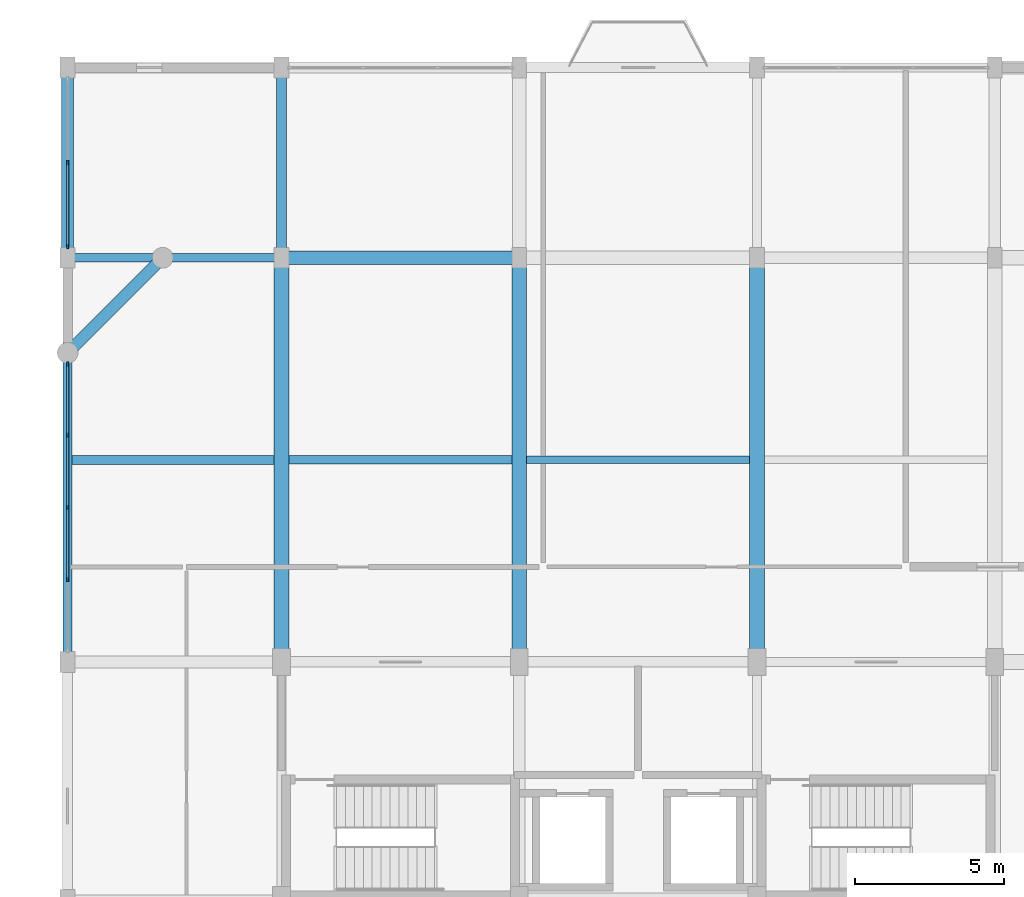
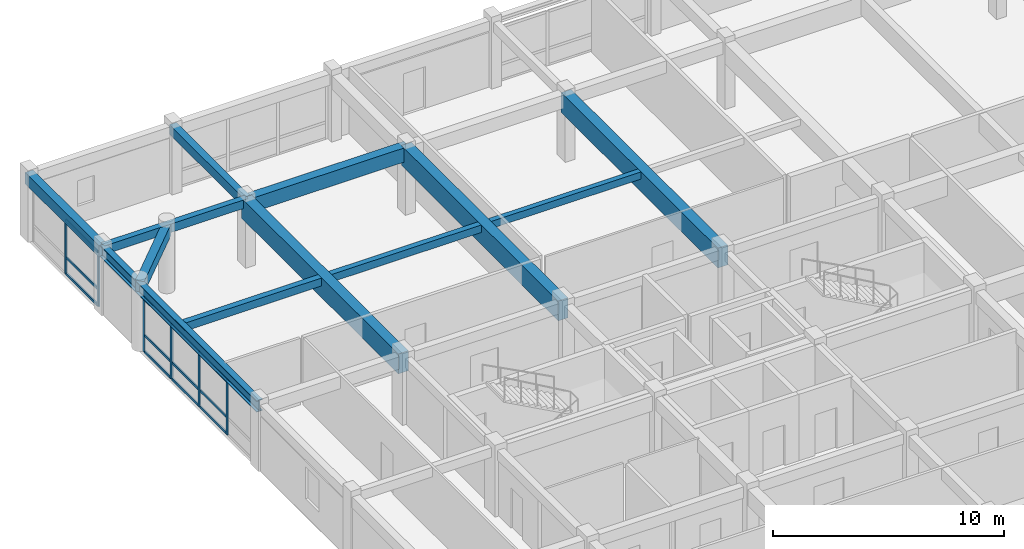
# One storey, part 6 of 14: 18 members, 12 beams, 2 elements without a shape of their own.
"""IFC4 building model written with IfcOpenShell, lengths in metres."""

from ifc_helpers import new_model, si_unit, direction, frame, origin, origin_2d, place, context, subcontext, project, spatial, rectangle, i_section, extrude, material, material_profile, profile_set, type_object, element, aggregate, save


model = new_model("IFC4")

# Units and contexts
model_context = context("Model", 3, precision=1e-05, world=origin(), true_north=direction((0.0, 1.0)))
body_context = subcontext(model_context, "Body", "Model", "MODEL_VIEW")
ifc_project = project(units=[si_unit("LENGTHUNIT", "METRE"), si_unit("AREAUNIT", "SQUARE_METRE"), si_unit("VOLUMEUNIT", "CUBIC_METRE"), si_unit("PLANEANGLEUNIT", "RADIAN"), si_unit("MASSUNIT", "GRAM", prefix="KILO")], contexts=[model_context])

# Site, building, storey
site_placement = place(None, origin())
site = spatial("IfcSite", under=ifc_project, at=site_placement, CompositionType="ELEMENT")
building_placement = place(site_placement, origin())
building = spatial("IfcBuilding", under=site, at=building_placement, Name="Vellmiral Cinema and Media Centre", CompositionType="ELEMENT")
storey_placement = place(building_placement, frame((0.0, 0.0, 47.10009765625)))
storey = spatial("IfcBuildingStorey", under=building, at=storey_placement, Name="L11", CompositionType="ELEMENT", Elevation=47.10009765625)

# Beams
ifc_material_1 = material(Name="Concrete C40/50", Category="concrete")
ifc_material_profile_1 = material_profile(ifc_material_1, rectangle(XDim=0.300048828125, YDim=0.449951171875, at=origin_2d()), Name="RC 300x450")
ifc_profile_set_1 = profile_set([ifc_material_profile_1], Name="Concrete C40/50")
beam_type_1 = type_object("IfcBeamType", Name="BM-RC-300x450", PredefinedType="BEAM", material=ifc_profile_set_1)
beam_1_placement = place(storey_placement, frame((116.800048828125, 108.800048828125, 3.27001953125), z_axis=(1.0, 0.0, 0.0), x_axis=(0.0, 1.0, 0.0)))
element("IfcBeam", 1, at=beam_1_placement, inside=storey, type_object=beam_type_1, Name="Grid Beam L11-X029", PredefinedType="BEAM", context=body_context, shape_type="SweptSolid", body=[
    extrude(rectangle(XDim=0.300048828125, YDim=0.449951171875, at=origin_2d()), origin(), (0.0, 0.0, 1.0), 7.199951171875),
])
ifc_material_2 = material(Name="Concrete C40/50", Category="concrete")
ifc_material_profile_2 = material_profile(ifc_material_2, rectangle(XDim=0.35009765625, YDim=0.5, at=origin_2d()), Name="RC 350x500")
ifc_profile_set_2 = profile_set([ifc_material_profile_2], Name="Concrete C40/50")
beam_type_2 = type_object("IfcBeamType", Name="BM-RC-350x500", PredefinedType="BEAM", material=ifc_profile_set_2)
beam_2_placement = place(storey_placement, frame((124.0, 108.800048828125, 3.244873046875), z_axis=(0.0, 1.0, 0.0), x_axis=(-1.0, 0.0, 0.0)))
element("IfcBeam", 2, at=beam_2_placement, inside=storey, type_object=beam_type_2, Name="Grid Beam L11-Y050", PredefinedType="BEAM", context=body_context, shape_type="SweptSolid", body=[
    extrude(rectangle(XDim=0.35009765625, YDim=0.5, at=origin_2d()), origin(), (0.0, 0.0, 1.0), 6.39990234375),
])
ifc_material_3 = material(Name="Concrete C40/50", Category="concrete")
ifc_material_profile_3 = material_profile(ifc_material_3, rectangle(XDim=0.449951171875, YDim=0.75, at=origin_2d()), Name="RC 450x750")
ifc_profile_set_3 = profile_set([ifc_material_profile_3], Name="Concrete C40/50")
beam_type_3 = type_object("IfcBeamType", Name="BM-RC-450x750", PredefinedType="BEAM", material=ifc_profile_set_3)
beam_3_placement = place(storey_placement, frame((124.0, 108.800048828125, 3.119873046875), z_axis=(1.0, 0.0, 0.0), x_axis=(0.0, 1.0, 0.0)))
element("IfcBeam", 3, at=beam_3_placement, inside=storey, type_object=beam_type_3, Name="Grid Beam L11-X030", PredefinedType="BEAM", context=body_context, shape_type="SweptSolid", body=[
    extrude(rectangle(XDim=0.449951171875, YDim=0.75, at=origin_2d()), origin(), (0.0, 0.0, 1.0), 8.0),
])
ifc_material_4 = material(Name="Concrete C40/50", Category="concrete")
ifc_material_profile_4 = material_profile(ifc_material_4, rectangle(XDim=0.5, YDim=1.050048828125, at=origin_2d()), Name="RC 500x1050")
ifc_profile_set_4 = profile_set([ifc_material_profile_4], Name="Concrete C40/50")
beam_type_4 = type_object("IfcBeamType", Name="BM-RCG-500x1050", PredefinedType="BEAM", material=ifc_profile_set_4)
for number, where, z_axis, x_axis, name in (
    (4, (124.0, 95.199951171875, 2.969970703125), (0.0, 1.0, 0.0), (-1.0, 0.0, 0.0), "Grid Beam L11-Y049"),
    (5, (132.0, 95.199951171875, 2.969970703125), (0.0, 1.0, 0.0), (-1.0, 0.0, 0.0), "Grid Beam L11-Y055"),
    (6, (140.0, 95.199951171875, 2.969970703125), (0.0, 1.0, 0.0), (-1.0, 0.0, 0.0), "Grid Beam L11-Y061"),
):
    element("IfcBeam", number, at=place(storey_placement, frame(where, z_axis=z_axis, x_axis=x_axis)), inside=storey, type_object=beam_type_4, Name=name, PredefinedType="BEAM", context=body_context, shape_type="SweptSolid", body=[
        extrude(rectangle(XDim=0.5, YDim=1.050048828125, at=origin_2d()), origin(), (0.0, 0.0, 1.0), 13.60009765625),
    ])

# Curtain wall, members
ifc_material_5 = material(Name="Thermally Broken Aluminium and Triple Glazing", Category="aluminium")
curtain_wall_type = type_object("IfcCurtainWallType", Name="CW-TOWER-MID-W", PredefinedType="USERDEFINED", material=ifc_material_5)
curtain_wall_1_placement = place(storey_placement, origin())
curtain_wall_1 = element("IfcCurtainWall", 7, at=curtain_wall_1_placement, inside=storey, type_object=curtain_wall_type, Name="Curtain Wall L11-B022", ObjectType="UNITISED CURTAIN WALL", PredefinedType="USERDEFINED")
ifc_material_6 = material(Name="Thermally Broken Anodised Aluminium", Category="aluminium")
ifc_material_profile_5 = material_profile(ifc_material_6, rectangle(XDim=0.06494140625, YDim=0.159912109375, at=origin_2d()), Name="MULL 65x160")
ifc_profile_set_5 = profile_set([ifc_material_profile_5], Name="Thermally Broken Anodised Aluminium")
member_type_1 = type_object("IfcMemberType", Name="CWM-65x160", PredefinedType="MULLION", material=ifc_profile_set_5)
member_1_placement = place(storey_placement, frame((116.800048828125, 112.0, 0.0), z_axis=(0.0, 0.0, 1.0), x_axis=(1.0, 0.0, 0.0)))
member_1 = element("IfcMember", 8, at=member_1_placement, type_object=member_type_1, Name="CW-08 mullion 2", PredefinedType="MULLION", context=body_context, shape_type="SweptSolid", body=[
    extrude(rectangle(XDim=0.06494140625, YDim=0.159912109375, at=origin_2d()), origin(), (0.0, 0.0, 1.0), 2.885009765625),
])
member_2_placement = place(storey_placement, frame((116.800048828125, 109.1826171875, 0.0), z_axis=(0.0, 0.0, 1.0), x_axis=(1.0, 0.0, 0.0)))
member_2 = element("IfcMember", 9, at=member_2_placement, type_object=member_type_1, Name="CW-08 mullion 3", PredefinedType="MULLION", context=body_context, shape_type="SweptSolid", body=[
    extrude(rectangle(XDim=0.06494140625, YDim=0.159912109375, at=origin_2d()), origin(), (0.0, 0.0, 1.0), 2.885009765625),
])

curtain_wall_2_placement = place(storey_placement, origin())
curtain_wall_2 = element("IfcCurtainWall", 10, at=curtain_wall_2_placement, inside=storey, type_object=curtain_wall_type, Name="Curtain Wall L11-B024", ObjectType="UNITISED CURTAIN WALL", PredefinedType="USERDEFINED")
member_3_placement = place(storey_placement, frame((116.800048828125, 105.217529296875, 0.0), z_axis=(0.0, 0.0, 1.0), x_axis=(1.0, 0.0, 0.0)))
member_3 = element("IfcMember", 11, at=member_3_placement, type_object=member_type_1, Name="CW-08 mullion 1", PredefinedType="MULLION", context=body_context, shape_type="SweptSolid", body=[
    extrude(rectangle(XDim=0.06494140625, YDim=0.159912109375, at=origin_2d()), origin(), (0.0, 0.0, 1.0), 2.885009765625),
])
member_4_placement = place(storey_placement, frame((116.800048828125, 102.824951171875, 0.0), z_axis=(0.0, 0.0, 1.0), x_axis=(1.0, 0.0, 0.0)))
member_4 = element("IfcMember", 12, at=member_4_placement, type_object=member_type_1, Name="CW-08 mullion 2", PredefinedType="MULLION", context=body_context, shape_type="SweptSolid", body=[
    extrude(rectangle(XDim=0.06494140625, YDim=0.159912109375, at=origin_2d()), origin(), (0.0, 0.0, 1.0), 2.885009765625),
])
member_5_placement = place(storey_placement, frame((116.800048828125, 100.39990234375, 0.0), z_axis=(0.0, 0.0, 1.0), x_axis=(1.0, 0.0, 0.0)))
member_5 = element("IfcMember", 13, at=member_5_placement, type_object=member_type_1, Name="CW-08 mullion 3", PredefinedType="MULLION", context=body_context, shape_type="SweptSolid", body=[
    extrude(rectangle(XDim=0.06494140625, YDim=0.159912109375, at=origin_2d()), origin(), (0.0, 0.0, 1.0), 2.885009765625),
])
member_6_placement = place(storey_placement, frame((116.800048828125, 97.97509765625, 0.0), z_axis=(0.0, 0.0, 1.0), x_axis=(1.0, 0.0, 0.0)))
member_6 = element("IfcMember", 14, at=member_6_placement, type_object=member_type_1, Name="CW-08 mullion 4", PredefinedType="MULLION", context=body_context, shape_type="SweptSolid", body=[
    extrude(rectangle(XDim=0.06494140625, YDim=0.159912109375, at=origin_2d()), origin(), (0.0, 0.0, 1.0), 2.885009765625),
])

# Member
ifc_material_7 = material(Name="Thermally Broken Anodised Aluminium", Category="aluminium")
ifc_material_profile_6 = material_profile(ifc_material_7, rectangle(XDim=0.06494140625, YDim=0.135009765625, at=origin_2d()), Name="MULL 65x135")
ifc_profile_set_6 = profile_set([ifc_material_profile_6], Name="Thermally Broken Anodised Aluminium")
member_type_2 = type_object("IfcMemberType", Name="CWT-65x135", PredefinedType="USERDEFINED", material=ifc_profile_set_6)
member_7_placement = place(storey_placement, frame((116.800048828125, 111.967529296875, 0.032470703125), z_axis=(0.0, -1.0, 0.0), x_axis=(1.0, 0.0, 0.0)))
member_7 = element("IfcMember", 15, at=member_7_placement, type_object=member_type_2, Name="CW-08 transom 2.1", ObjectType="TRANSOM", PredefinedType="USERDEFINED", context=body_context, shape_type="SweptSolid", body=[
    extrude(rectangle(XDim=0.06494140625, YDim=0.135009765625, at=origin_2d()), origin(), (0.0, 0.0, 1.0), 2.75244140625),
])

member_8_placement = place(storey_placement, frame((116.800048828125, 111.967529296875, 0.89990234375), z_axis=(0.0, -1.0, 0.0), x_axis=(1.0, 0.0, 0.0)))
member_8 = element("IfcMember", 16, at=member_8_placement, type_object=member_type_2, Name="CW-08 transom 2.2", ObjectType="TRANSOM", PredefinedType="USERDEFINED", context=body_context, shape_type="SweptSolid", body=[
    extrude(rectangle(XDim=0.06494140625, YDim=0.135009765625, at=origin_2d()), origin(), (0.0, 0.0, 1.0), 2.75244140625),
])

member_9_placement = place(storey_placement, frame((116.800048828125, 111.967529296875, 2.852294921875), z_axis=(0.0, -1.0, 0.0), x_axis=(1.0, 0.0, 0.0)))
member_9 = element("IfcMember", 17, at=member_9_placement, type_object=member_type_2, Name="CW-08 transom 2.3", ObjectType="TRANSOM", PredefinedType="USERDEFINED", context=body_context, shape_type="SweptSolid", body=[
    extrude(rectangle(XDim=0.06494140625, YDim=0.135009765625, at=origin_2d()), origin(), (0.0, 0.0, 1.0), 2.75244140625),
])

aggregate(curtain_wall_1, [member_1, member_2, member_7, member_8, member_9])

member_10_placement = place(storey_placement, frame((116.800048828125, 105.18505859375, 0.032470703125), z_axis=(0.0, -1.0, 0.0), x_axis=(1.0, 0.0, 0.0)))
member_10 = element("IfcMember", 18, at=member_10_placement, type_object=member_type_2, Name="CW-08 transom 1.1", ObjectType="TRANSOM", PredefinedType="USERDEFINED", context=body_context, shape_type="SweptSolid", body=[
    extrude(rectangle(XDim=0.06494140625, YDim=0.135009765625, at=origin_2d()), origin(), (0.0, 0.0, 1.0), 2.32763671875),
])

member_11_placement = place(storey_placement, frame((116.800048828125, 105.18505859375, 0.89990234375), z_axis=(0.0, -1.0, 0.0), x_axis=(1.0, 0.0, 0.0)))
member_11 = element("IfcMember", 19, at=member_11_placement, type_object=member_type_2, Name="CW-08 transom 1.2", ObjectType="TRANSOM", PredefinedType="USERDEFINED", context=body_context, shape_type="SweptSolid", body=[
    extrude(rectangle(XDim=0.06494140625, YDim=0.135009765625, at=origin_2d()), origin(), (0.0, 0.0, 1.0), 2.32763671875),
])

member_12_placement = place(storey_placement, frame((116.800048828125, 105.18505859375, 2.852294921875), z_axis=(0.0, -1.0, 0.0), x_axis=(1.0, 0.0, 0.0)))
member_12 = element("IfcMember", 20, at=member_12_placement, type_object=member_type_2, Name="CW-08 transom 1.3", ObjectType="TRANSOM", PredefinedType="USERDEFINED", context=body_context, shape_type="SweptSolid", body=[
    extrude(rectangle(XDim=0.06494140625, YDim=0.135009765625, at=origin_2d()), origin(), (0.0, 0.0, 1.0), 2.32763671875),
])

member_13_placement = place(storey_placement, frame((116.800048828125, 102.79248046875, 0.032470703125), z_axis=(0.0, -1.0, 0.0), x_axis=(1.0, 0.0, 0.0)))
member_13 = element("IfcMember", 21, at=member_13_placement, type_object=member_type_2, Name="CW-08 transom 2.1", ObjectType="TRANSOM", PredefinedType="USERDEFINED", context=body_context, shape_type="SweptSolid", body=[
    extrude(rectangle(XDim=0.06494140625, YDim=0.135009765625, at=origin_2d()), origin(), (0.0, 0.0, 1.0), 2.35986328125),
])

member_14_placement = place(storey_placement, frame((116.800048828125, 102.79248046875, 0.89990234375), z_axis=(0.0, -1.0, 0.0), x_axis=(1.0, 0.0, 0.0)))
member_14 = element("IfcMember", 22, at=member_14_placement, type_object=member_type_2, Name="CW-08 transom 2.2", ObjectType="TRANSOM", PredefinedType="USERDEFINED", context=body_context, shape_type="SweptSolid", body=[
    extrude(rectangle(XDim=0.06494140625, YDim=0.135009765625, at=origin_2d()), origin(), (0.0, 0.0, 1.0), 2.35986328125),
])

member_15_placement = place(storey_placement, frame((116.800048828125, 102.79248046875, 2.852294921875), z_axis=(0.0, -1.0, 0.0), x_axis=(1.0, 0.0, 0.0)))
member_15 = element("IfcMember", 23, at=member_15_placement, type_object=member_type_2, Name="CW-08 transom 2.3", ObjectType="TRANSOM", PredefinedType="USERDEFINED", context=body_context, shape_type="SweptSolid", body=[
    extrude(rectangle(XDim=0.06494140625, YDim=0.135009765625, at=origin_2d()), origin(), (0.0, 0.0, 1.0), 2.35986328125),
])

member_16_placement = place(storey_placement, frame((116.800048828125, 100.367431640625, 0.032470703125), z_axis=(0.0, -1.0, 0.0), x_axis=(1.0, 0.0, 0.0)))
member_16 = element("IfcMember", 24, at=member_16_placement, type_object=member_type_2, Name="CW-08 transom 3.1", ObjectType="TRANSOM", PredefinedType="USERDEFINED", context=body_context, shape_type="SweptSolid", body=[
    extrude(rectangle(XDim=0.06494140625, YDim=0.135009765625, at=origin_2d()), origin(), (0.0, 0.0, 1.0), 2.35986328125),
])

member_17_placement = place(storey_placement, frame((116.800048828125, 100.367431640625, 0.89990234375), z_axis=(0.0, -1.0, 0.0), x_axis=(1.0, 0.0, 0.0)))
member_17 = element("IfcMember", 25, at=member_17_placement, type_object=member_type_2, Name="CW-08 transom 3.2", ObjectType="TRANSOM", PredefinedType="USERDEFINED", context=body_context, shape_type="SweptSolid", body=[
    extrude(rectangle(XDim=0.06494140625, YDim=0.135009765625, at=origin_2d()), origin(), (0.0, 0.0, 1.0), 2.35986328125),
])

member_18_placement = place(storey_placement, frame((116.800048828125, 100.367431640625, 2.852294921875), z_axis=(0.0, -1.0, 0.0), x_axis=(1.0, 0.0, 0.0)))
member_18 = element("IfcMember", 26, at=member_18_placement, type_object=member_type_2, Name="CW-08 transom 3.3", ObjectType="TRANSOM", PredefinedType="USERDEFINED", context=body_context, shape_type="SweptSolid", body=[
    extrude(rectangle(XDim=0.06494140625, YDim=0.135009765625, at=origin_2d()), origin(), (0.0, 0.0, 1.0), 2.35986328125),
])

aggregate(curtain_wall_2, [member_3, member_4, member_5, member_6, member_10, member_11, member_12, member_13, member_14, member_15, member_16, member_17, member_18])

# Beams
ifc_material_8 = material(Name="Concrete C40/50", Category="concrete")
ifc_material_profile_7 = material_profile(ifc_material_8, rectangle(XDim=0.260009765625, YDim=0.3798828125, at=origin_2d()), Name="RC 260x380")
ifc_profile_set_7 = profile_set([ifc_material_profile_7], Name="Concrete C40/50")
beam_type_5 = type_object("IfcBeamType", Name="JST-RC-260x380", PredefinedType="JOIST", material=ifc_profile_set_7)
beam_4_placement = place(storey_placement, frame((132.25, 102.0, 3.304931640625), z_axis=(1.0, 0.0, 0.0), x_axis=(0.0, 1.0, 0.0)))
element("IfcBeam", 27, at=beam_4_placement, inside=storey, type_object=beam_type_5, Name="Secondary Floor Joist L11-003", PredefinedType="JOIST", context=body_context, shape_type="SweptSolid", body=[
    extrude(rectangle(XDim=0.260009765625, YDim=0.3798828125, at=origin_2d()), origin(), (0.0, 0.0, 1.0), 7.5),
])
ifc_material_9 = material(Name="Concrete C40/50", Category="concrete")
ifc_material_profile_8 = material_profile(ifc_material_9, rectangle(XDim=0.280029296875, YDim=0.39990234375, at=origin_2d()), Name="RC 280x400")
ifc_profile_set_8 = profile_set([ifc_material_profile_8], Name="Concrete C40/50")
beam_type_6 = type_object("IfcBeamType", Name="JST-RC-280x400", PredefinedType="JOIST", material=ifc_profile_set_8)
beam_5_placement = place(storey_placement, frame((124.25, 102.0, 3.294921875), z_axis=(1.0, 0.0, 0.0), x_axis=(0.0, 1.0, 0.0)))
element("IfcBeam", 28, at=beam_5_placement, inside=storey, type_object=beam_type_6, Name="Secondary Floor Joist L11-002", PredefinedType="JOIST", context=body_context, shape_type="SweptSolid", body=[
    extrude(rectangle(XDim=0.280029296875, YDim=0.39990234375, at=origin_2d()), origin(), (0.0, 0.0, 1.0), 7.5),
])
ifc_material_10 = material(Name="Concrete C40/50", Category="concrete")
ifc_material_profile_9 = material_profile(ifc_material_10, rectangle(XDim=0.300048828125, YDim=0.419921875, at=origin_2d()), Name="RC 300x420")
ifc_profile_set_9 = profile_set([ifc_material_profile_9], Name="Concrete C40/50")
beam_type_7 = type_object("IfcBeamType", Name="JST-RC-300x420", PredefinedType="JOIST", material=ifc_profile_set_9)
beam_6_placement = place(storey_placement, frame((116.949951171875, 102.0, 3.284912109375), z_axis=(1.0, 0.0, 0.0), x_axis=(0.0, 1.0, 0.0)))
element("IfcBeam", 29, at=beam_6_placement, inside=storey, type_object=beam_type_7, Name="Secondary Floor Joist L11-001", PredefinedType="JOIST", context=body_context, shape_type="SweptSolid", body=[
    extrude(rectangle(XDim=0.300048828125, YDim=0.419921875, at=origin_2d()), origin(), (0.0, 0.0, 1.0), 6.800048828125),
])
ifc_material_11 = material(Name="Steel S355", Category="steel")
ifc_material_profile_10 = material_profile(ifc_material_11, i_section(OverallWidth=0.300048828125, OverallDepth=0.60009765625, WebThickness=0.015380859375, FlangeThickness=0.030029296875, FilletRadius=0.027099609375, at=origin_2d()), Name="HEB 600")
ifc_profile_set_10 = profile_set([ifc_material_profile_10], Name="Steel S355")
beam_type_8 = type_object("IfcBeamType", Name="SBM-HEB600-SPD", PredefinedType="SPANDREL", material=ifc_profile_set_10)
beam_7_placement = place(storey_placement, frame((116.800048828125, 95.199951171875, 3.19482421875), z_axis=(0.0, 1.0, 0.0), x_axis=(-1.0, 0.0, 0.0)))
element("IfcBeam", 30, at=beam_7_placement, inside=storey, type_object=beam_type_8, Name="Grid Beam L11-Y043", PredefinedType="SPANDREL", context=body_context, shape_type="SweptSolid", body=[
    extrude(i_section(OverallWidth=0.300048828125, OverallDepth=0.60009765625, WebThickness=0.015380859375, FlangeThickness=0.030029296875, FilletRadius=0.027099609375, at=origin_2d()), origin(), (0.0, 0.0, 1.0), 13.60009765625),
])
ifc_material_12 = material(Name="Concrete C40/50", Category="concrete")
ifc_material_profile_11 = material_profile(ifc_material_12, rectangle(XDim=0.39990234375, YDim=0.60009765625, at=origin_2d()), Name="RC 400x600")
ifc_profile_set_11 = profile_set([ifc_material_profile_11], Name="Concrete C40/50")
beam_type_9 = type_object("IfcBeamType", Name="SPD-RC-400x600", PredefinedType="SPANDREL", material=ifc_profile_set_11)
beam_8_placement = place(storey_placement, frame((116.800048828125, 108.800048828125, 3.19482421875), z_axis=(0.0, 1.0, 0.0), x_axis=(-1.0, 0.0, 0.0)))
element("IfcBeam", 31, at=beam_8_placement, inside=storey, type_object=beam_type_9, Name="Grid Beam L11-Y044", PredefinedType="SPANDREL", context=body_context, shape_type="SweptSolid", body=[
    extrude(rectangle(XDim=0.39990234375, YDim=0.60009765625, at=origin_2d()), origin(), (0.0, 0.0, 1.0), 6.39990234375),
])
beam_9_placement = place(storey_placement, frame((116.800048828125, 105.60009765625, 3.19482421875), z_axis=(0.707106781187, 0.707106781187, 0.0), x_axis=(-0.707106781187, 0.707106781187, 0.0)))
element("IfcBeam", 32, at=beam_9_placement, inside=storey, type_object=beam_type_9, Name="Xamfra Chamfer Spandrel Beam L11-080", PredefinedType="SPANDREL", context=body_context, shape_type="SweptSolid", body=[
    extrude(rectangle(XDim=0.39990234375, YDim=0.60009765625, at=origin_2d()), origin(), (0.0, 0.0, 1.0), 4.525390625),
])

save(model, "model.ifc")
